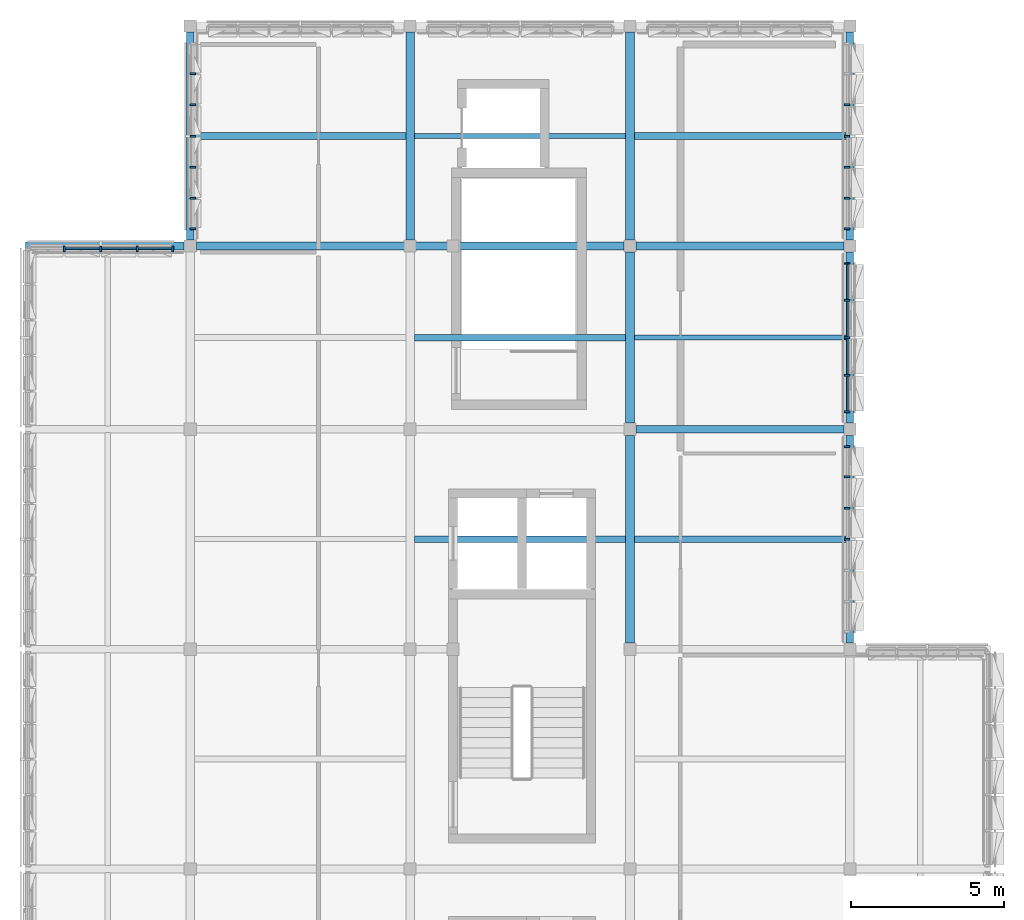
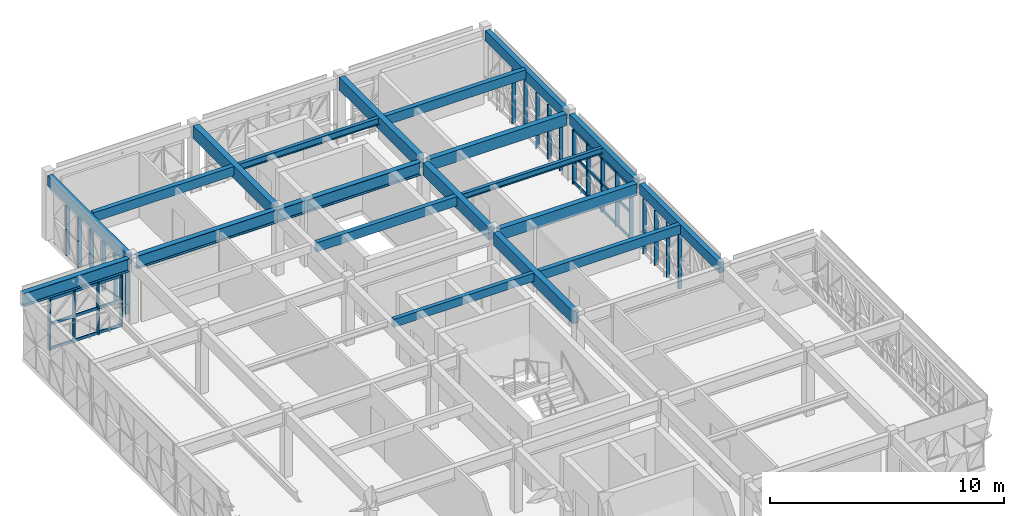
# One storey, part 6 of 25: 45 members, 19 beams, 5 elements without a shape of their own.
"""IFC4 building model written with IfcOpenShell, lengths in metres."""

import ifcopenshell
import ifcopenshell.guid

model = None  # the IFC model being written
_history = None  # IfcOwnerHistory: only IFC2X3 demands one
_inside = {}  # id of a spatial element -> (the spatial element, [elements in it])
_under = {}  # id of a project, library or spatial element -> (it, [spatial elements below it])
_declared = {}  # id of a project -> (the project, [libraries it declares])
_typed = {}  # id of a type object -> (the type object, [elements of that type])
_made_of = {}  # id of a material, layer set ... -> (it, [elements and type objects made of it])


def new_model(schema):
    """Start an empty IFC model of exactly this schema.

    Asked for "IFC4X3", IfcOpenShell would pick the latest addendum, in which some entities
    have other attributes; the version numbers below select the first issue.
    IFC2X3 requires an IfcOwnerHistory on every rooted entity: one is made here for all.
    """
    global model, _history
    if schema == "IFC4X3":
        model = ifcopenshell.file(schema_version=(4, 3, 0, 0))
    else:
        model = ifcopenshell.file(schema=schema)
    _inside.clear()
    _under.clear()
    _declared.clear()
    _typed.clear()
    _made_of.clear()
    _history = None
    if model.schema == "IFC2X3":
        org = make("IfcOrganization", Name="unknown")
        user = make(
            "IfcPersonAndOrganization",
            ThePerson=make("IfcPerson", FamilyName="unknown"),
            TheOrganization=org,
        )
        app = make(
            "IfcApplication",
            ApplicationDeveloper=org,
            Version="unknown",
            ApplicationFullName="unknown",
            ApplicationIdentifier="unknown",
        )
        _history = make(
            "IfcOwnerHistory",
            OwningUser=user,
            OwningApplication=app,
            ChangeAction="ADDED",
            CreationDate=0,
        )
    return model


def make(cls, **values):
    """One entity of the class cls with the attributes given. An attribute that is None is left unset."""
    return model.create_entity(
        cls, **{name: value for name, value in values.items() if value is not None}
    )


def rooted(cls, **values):
    """An entity with a GlobalId (a new one), such as an element, a storey or a relation."""
    return make(cls, GlobalId=ifcopenshell.guid.new(), OwnerHistory=_history, **values)


def si_unit(unit_type, name, prefix=None):
    """IfcSIUnit, for example si_unit("LENGTHUNIT", "METRE", prefix="MILLI")."""
    return make("IfcSIUnit", UnitType=unit_type, Prefix=prefix, Name=name)


def assignment(units):
    """IfcUnitAssignment: the units of a project."""
    return None if units is None else make("IfcUnitAssignment", Units=units)


def point(xyz):
    """IfcCartesianPoint."""
    return None if xyz is None else make("IfcCartesianPoint", Coordinates=xyz)


def direction(xyz):
    """IfcDirection."""
    return None if xyz is None else make("IfcDirection", DirectionRatios=xyz)


def frame(location, z_axis=None, x_axis=None):
    """IfcAxis2Placement3D, a coordinate frame: its origin and axes. An axis left out is left unset."""
    return make(
        "IfcAxis2Placement3D",
        Location=point(location),
        Axis=direction(z_axis),
        RefDirection=direction(x_axis),
    )


def frame_2d(location, x_axis=None):
    """IfcAxis2Placement2D, a coordinate frame in the plane: its origin and x axis."""
    return make(
        "IfcAxis2Placement2D", Location=point(location), RefDirection=direction(x_axis)
    )


def origin():
    """The frame at (0, 0, 0) with its axes left unset."""
    return frame((0.0, 0.0, 0.0))


def origin_2d():
    """The frame at (0, 0) in the plane with its x axis left unset."""
    return frame_2d((0.0, 0.0))


def place(relative_to, where):
    """IfcLocalPlacement: puts the frame where relative to a parent placement (None: the world)."""
    return make(
        "IfcLocalPlacement", PlacementRelTo=relative_to, RelativePlacement=where
    )


def context(
    kind, dimensions, precision=None, world=None, true_north=None, identifier=None
):
    """IfcGeometricRepresentationContext, for example the 3D "Model" context."""
    return make(
        "IfcGeometricRepresentationContext",
        ContextIdentifier=identifier,
        ContextType=kind,
        CoordinateSpaceDimension=dimensions,
        Precision=precision,
        WorldCoordinateSystem=world,
        TrueNorth=true_north,
    )


def subcontext(parent, identifier, kind, view, scale=None):
    """IfcGeometricRepresentationSubContext, for example "Body" below "Model"."""
    return make(
        "IfcGeometricRepresentationSubContext",
        ContextIdentifier=identifier,
        ContextType=kind,
        ParentContext=parent,
        TargetScale=scale,
        TargetView=view,
    )


def project(units=None, contexts=None):
    """IfcProject with its units and contexts."""
    return rooted(
        "IfcProject",
        Name="project",
        RepresentationContexts=contexts,
        UnitsInContext=assignment(units),
    )


def spatial(cls, under=None, at=None, **own):
    """A site, building, storey or space (cls), placed at a placement, below another one or the project."""
    s = rooted(cls, ObjectPlacement=at, **own)
    if under is not None:
        _under.setdefault(under.id(), (under, []))[1].append(s)
    return s


def profile(cls, at=None, kind="AREA", **sizes):
    """A parametric profile (cls). Its sizes go by their IFC names, for example OverallWidth=200.0."""
    return make(cls, ProfileType=kind, Position=at, **sizes)


def rectangle(**sizes):
    """IfcRectangleProfileDef."""
    return profile("IfcRectangleProfileDef", **sizes)


def i_section(**sizes):
    """IfcIShapeProfileDef."""
    return profile("IfcIShapeProfileDef", **sizes)


def extrude(swept, where, along, depth):
    """IfcExtrudedAreaSolid: the profile swept, set in the frame where, extruded along a direction by depth."""
    return make(
        "IfcExtrudedAreaSolid",
        SweptArea=swept,
        Position=where,
        ExtrudedDirection=direction(along),
        Depth=depth,
    )


def shape(context_of_items, identifier, shape_type, items):
    """IfcShapeRepresentation: the items that make up one representation, for example the "Body"."""
    return make(
        "IfcShapeRepresentation",
        ContextOfItems=context_of_items,
        RepresentationIdentifier=identifier,
        RepresentationType=shape_type,
        Items=items,
    )


def material(Name=None, Category=None):
    """IfcMaterial."""
    return make("IfcMaterial", Name=Name, Category=Category)


def material_profile(
    of_material, cross_section, Name=None, Category=None, Priority=None
):
    """IfcMaterialProfile: a cross section and its material."""
    return make(
        "IfcMaterialProfile",
        Name=Name,
        Material=of_material,
        Profile=cross_section,
        Priority=Priority,
        Category=Category,
    )


def profile_set(profiles, Name=None, composite=None):
    """IfcMaterialProfileSet."""
    return make(
        "IfcMaterialProfileSet",
        Name=Name,
        MaterialProfiles=profiles,
        CompositeProfile=composite,
    )


def made_of(thing, what):
    """Note that an element or type object is made of a material, layer set ...; save() writes the relation."""
    if what is not None:
        _made_of.setdefault(what.id(), (what, []))[1].append(thing)
    return thing


def type_object(cls, material=None, **own):
    """A type object (cls), such as IfcWallType, which elements share."""
    return made_of(rooted(cls, **own), material)


def element(
    cls,
    number,
    at=None,
    inside=None,
    cuts=None,
    type_object=None,
    material=None,
    context=None,
    identifier="Body",
    shape_type=None,
    held_by="IfcProductDefinitionShape",
    body=None,
    shapes=None,
    **own,
):
    """One element of the class cls, such as IfcWall. Its Tag is "e" and its number.

    at: its placement. inside: the storey or other place that contains it. cuts: it is an
    opening in that element (IfcRelVoidsElement). A single representation is given by context,
    identifier, shape_type and body (its items); several are given by shapes. held_by: the class
    of the entity that holds the representations. save() writes the other relations.
    """
    e = rooted(cls, Tag="e%d" % number, ObjectPlacement=at, **own)
    if body is not None:
        shapes = [shape(context, identifier, shape_type, body)]
    if shapes is not None:
        e.Representation = make(held_by, Representations=shapes)
    if inside is not None:
        _inside.setdefault(inside.id(), (inside, []))[1].append(e)
    if cuts is not None:
        rooted(
            "IfcRelVoidsElement", RelatingBuildingElement=cuts, RelatedOpeningElement=e
        )
    if type_object is not None:
        _typed.setdefault(type_object.id(), (type_object, []))[1].append(e)
    return made_of(e, material)


def aggregate(whole, parts):
    """IfcRelAggregates: a whole, such as a stair, and the parts it consists of."""
    return rooted("IfcRelAggregates", RelatingObject=whole, RelatedObjects=parts)


def save(model, path):
    """Write the relations noted so far, then the file.

    IfcRelAggregates (storeys below a building ...), IfcRelContainedInSpatialStructure (elements
    in a storey), IfcRelDefinesByType, IfcRelAssociatesMaterial and IfcRelDeclares: one each for
    every whole, place, type object, material and project.
    """
    for whole, parts in _under.values():
        aggregate(whole, parts)
    for where, things in _inside.values():
        rooted(
            "IfcRelContainedInSpatialStructure",
            RelatedElements=things,
            RelatingStructure=where,
        )
    for kind, things in _typed.values():
        rooted("IfcRelDefinesByType", RelatedObjects=things, RelatingType=kind)
    for what, things in _made_of.values():
        rooted("IfcRelAssociatesMaterial", RelatedObjects=things, RelatingMaterial=what)
    for by, libraries in _declared.values():
        rooted("IfcRelDeclares", RelatingContext=by, RelatedDefinitions=libraries)
    model.write(path)


model = new_model("IFC4")

# Units and contexts
model_context = context("Model", 3, precision=1e-05, world=origin(), true_north=direction((0.0, 1.0)))
body_context = subcontext(model_context, "Body", "Model", "MODEL_VIEW")
ifc_project = project(units=[si_unit("LENGTHUNIT", "METRE"), si_unit("AREAUNIT", "SQUARE_METRE"), si_unit("VOLUMEUNIT", "CUBIC_METRE"), si_unit("PLANEANGLEUNIT", "RADIAN"), si_unit("MASSUNIT", "GRAM", prefix="KILO")], contexts=[model_context])

# Site, building, storey
site_placement = place(None, origin())
site = spatial("IfcSite", under=ifc_project, at=site_placement, CompositionType="ELEMENT")
building_placement = place(site_placement, origin())
building = spatial("IfcBuilding", under=site, at=building_placement, Name="Alvorim Cloister Faculty of Sciences", CompositionType="ELEMENT")
storey_placement = place(building_placement, frame((0.0, 0.0, 29.699951171875)))
storey = spatial("IfcBuildingStorey", under=building, at=storey_placement, Name="L08", CompositionType="ELEMENT", Elevation=29.699951171875)

# Beams
ifc_material_1 = material(Name="Glulam GL28h", Category="wood")
ifc_material_profile_1 = material_profile(ifc_material_1, rectangle(XDim=0.260009765625, YDim=0.60009765625, at=origin_2d()), Name="GL28-BM-260x600")
ifc_profile_set_1 = profile_set([ifc_material_profile_1], Name="Glulam GL28h")
beam_type_1 = type_object("IfcBeamType", Name="BM-GL-260x600", PredefinedType="BEAM", material=ifc_profile_set_1)
for number, where, z_axis, x_axis, name in (
    (1, (21.800048828125, 43.199951171875, 3.10009765625), (1.0, 0.0, 0.0), (0.0, 1.0, 0.0), "L08 Primary Beam BM-2175"),
    (2, (21.800048828125, 49.199951171875, 3.10009765625), (1.0, 0.0, 0.0), (0.0, 1.0, 0.0), "L08 Primary Beam BM-2176"),
):
    element("IfcBeam", number, at=place(storey_placement, frame(where, z_axis=z_axis, x_axis=x_axis)), inside=storey, type_object=beam_type_1, Name=name, PredefinedType="BEAM", context=body_context, shape_type="SweptSolid", body=[
        extrude(rectangle(XDim=0.260009765625, YDim=0.60009765625, at=origin_2d()), origin(), (0.0, 0.0, 1.0), 6.800048828125),
    ])
ifc_material_profile_2 = material_profile(ifc_material_1, rectangle(XDim=0.280029296875, YDim=0.659912109375, at=origin_2d()), Name="GL28-BM-280x660")
ifc_profile_set_2 = profile_set([ifc_material_profile_2], Name="Glulam GL28h")
beam_type_2 = type_object("IfcBeamType", Name="BM-GL-280x660", PredefinedType="BEAM", material=ifc_profile_set_2)
for number, where, z_axis, x_axis, name in (
    (3, (14.39990234375, 49.39990234375, 3.16015625), (0.0, 1.0, 0.0), (-1.0, 0.0, 0.0), "L08 Primary Girder BM-2193"),
    (4, (21.60009765625, 36.199951171875, 3.06005859375), (0.0, 1.0, 0.0), (-1.0, 0.0, 0.0), "L08 Primary Girder BM-2198"),
):
    element("IfcBeam", number, at=place(storey_placement, frame(where, z_axis=z_axis, x_axis=x_axis)), inside=storey, type_object=beam_type_2, Name=name, PredefinedType="BEAM", context=body_context, shape_type="SweptSolid", body=[
        extrude(rectangle(XDim=0.280029296875, YDim=0.659912109375, at=origin_2d()), origin(), (0.0, 0.0, 1.0), 6.800048828125),
    ])
beam_1_placement = place(storey_placement, frame((21.60009765625, 43.39990234375, 3.070068359375), z_axis=(0.0, 1.0, 0.0), x_axis=(-1.0, 0.0, 0.0)))
element("IfcBeam", 5, at=beam_1_placement, inside=storey, type_object=beam_type_2, Name="L08 Primary Girder BM-2199", PredefinedType="BEAM", context=body_context, shape_type="SweptSolid", body=[
    extrude(rectangle(XDim=0.280029296875, YDim=0.659912109375, at=origin_2d()), origin(), (0.0, 0.0, 1.0), 5.60009765625),
])
beam_2_placement = place(storey_placement, frame((21.60009765625, 49.39990234375, 3.16015625), z_axis=(0.0, 1.0, 0.0), x_axis=(-1.0, 0.0, 0.0)))
element("IfcBeam", 6, at=beam_2_placement, inside=storey, type_object=beam_type_2, Name="L08 Primary Girder BM-2200", PredefinedType="BEAM", context=body_context, shape_type="SweptSolid", body=[
    extrude(rectangle(XDim=0.280029296875, YDim=0.659912109375, at=origin_2d()), origin(), (0.0, 0.0, 1.0), 6.800048828125),
])
ifc_material_profile_3 = material_profile(ifc_material_1, rectangle(XDim=0.199951171875, YDim=0.419921875, at=origin_2d()), Name="GL28-JST-200x420")
ifc_profile_set_3 = profile_set([ifc_material_profile_3], Name="Glulam GL28h")
beam_type_3 = type_object("IfcBeamType", Name="BM-JST-GL-200x420", PredefinedType="JOIST", material=ifc_profile_set_3)
beam_3_placement = place(storey_placement, frame((14.5400390625, 39.60009765625, 3.18994140625), z_axis=(1.0, 0.0, 0.0), x_axis=(0.0, 1.0, 0.0)))
element("IfcBeam", 7, at=beam_3_placement, inside=storey, type_object=beam_type_3, Name="L08 Secondary Floor Joist BM-2216", PredefinedType="JOIST", context=body_context, shape_type="SweptSolid", body=[
    extrude(rectangle(XDim=0.199951171875, YDim=0.419921875, at=origin_2d()), origin(), (0.0, 0.0, 1.0), 6.919921875),
])
ifc_material_profile_4 = material_profile(ifc_material_1, rectangle(XDim=0.219970703125, YDim=0.47998046875, at=origin_2d()), Name="GL28-JST-220x480")
ifc_profile_set_4 = profile_set([ifc_material_profile_4], Name="Glulam GL28h")
beam_type_4 = type_object("IfcBeamType", Name="BM-JST-GL-220x480", PredefinedType="JOIST", material=ifc_profile_set_4)
beam_4_placement = place(storey_placement, frame((7.320068359375, 52.800048828125, 3.25), z_axis=(1.0, 0.0, 0.0), x_axis=(0.0, 1.0, 0.0)))
element("IfcBeam", 8, at=beam_4_placement, inside=storey, type_object=beam_type_4, Name="L08 Secondary Floor Joist BM-2214", PredefinedType="JOIST", context=body_context, shape_type="SweptSolid", body=[
    extrude(rectangle(XDim=0.219970703125, YDim=0.47998046875, at=origin_2d()), origin(), (0.0, 0.0, 1.0), 6.93994140625),
])
beam_5_placement = place(storey_placement, frame((14.5400390625, 46.199951171875, 3.16015625), z_axis=(1.0, 0.0, 0.0), x_axis=(0.0, 1.0, 0.0)))
element("IfcBeam", 9, at=beam_5_placement, inside=storey, type_object=beam_type_4, Name="L08 Secondary Floor Joist BM-2217", PredefinedType="JOIST", context=body_context, shape_type="SweptSolid", body=[
    extrude(rectangle(XDim=0.219970703125, YDim=0.47998046875, at=origin_2d()), origin(), (0.0, 0.0, 1.0), 6.919921875),
])
for number, where, z_axis, x_axis, name in (
    (10, (21.739990234375, 39.60009765625, 3.16015625), (1.0, 0.0, 0.0), (0.0, 1.0, 0.0), "L08 Secondary Floor Joist BM-2223"),
    (11, (21.739990234375, 52.800048828125, 3.25), (1.0, 0.0, 0.0), (0.0, 1.0, 0.0), "L08 Secondary Floor Joist BM-2225"),
):
    element("IfcBeam", number, at=place(storey_placement, frame(where, z_axis=z_axis, x_axis=x_axis)), inside=storey, type_object=beam_type_4, Name=name, PredefinedType="JOIST", context=body_context, shape_type="SweptSolid", body=[
        extrude(rectangle(XDim=0.219970703125, YDim=0.47998046875, at=origin_2d()), origin(), (0.0, 0.0, 1.0), 6.93994140625),
    ])
ifc_material_profile_5 = material_profile(ifc_material_1, rectangle(XDim=0.239990234375, YDim=0.5400390625, at=origin_2d()), Name="GL28-SPD-240x540")
ifc_profile_set_5 = profile_set([ifc_material_profile_5], Name="Glulam GL28h")
beam_type_5 = type_object("IfcBeamType", Name="BM-SPD-GL-240x540", PredefinedType="SPANDREL", material=ifc_profile_set_5)
for number, where, z_axis, x_axis, name in (
    (12, (7.199951171875, 49.39990234375, 3.130126953125), (0.0, 1.0, 0.0), (-1.0, 0.0, 0.0), "L08 Primary Girder BM-2186"),
    (13, (28.800048828125, 36.199951171875, 3.130126953125), (0.0, 1.0, 0.0), (-1.0, 0.0, 0.0), "L08 Primary Girder BM-2205"),
):
    element("IfcBeam", number, at=place(storey_placement, frame(where, z_axis=z_axis, x_axis=x_axis)), inside=storey, type_object=beam_type_5, Name=name, PredefinedType="SPANDREL", context=body_context, shape_type="SweptSolid", body=[
        extrude(rectangle(XDim=0.239990234375, YDim=0.5400390625, at=origin_2d()), origin(), (0.0, 0.0, 1.0), 6.800048828125),
    ])
beam_6_placement = place(storey_placement, frame((28.800048828125, 43.39990234375, 3.130126953125), z_axis=(0.0, 1.0, 0.0), x_axis=(-1.0, 0.0, 0.0)))
element("IfcBeam", 14, at=beam_6_placement, inside=storey, type_object=beam_type_5, Name="L08 Primary Girder BM-2206", PredefinedType="SPANDREL", context=body_context, shape_type="SweptSolid", body=[
    extrude(rectangle(XDim=0.239990234375, YDim=0.5400390625, at=origin_2d()), origin(), (0.0, 0.0, 1.0), 5.60009765625),
])
beam_7_placement = place(storey_placement, frame((28.800048828125, 49.39990234375, 3.130126953125), z_axis=(0.0, 1.0, 0.0), x_axis=(-1.0, 0.0, 0.0)))
element("IfcBeam", 15, at=beam_7_placement, inside=storey, type_object=beam_type_5, Name="L08 Primary Girder BM-2207", PredefinedType="SPANDREL", context=body_context, shape_type="SweptSolid", body=[
    extrude(rectangle(XDim=0.239990234375, YDim=0.5400390625, at=origin_2d()), origin(), (0.0, 0.0, 1.0), 6.800048828125),
])
ifc_material_2 = material(Name="Steel ASTM A572 Grade 50", Category="steel")
ifc_material_profile_6 = material_profile(ifc_material_2, i_section(OverallWidth=0.1650390625, OverallDepth=0.31005859375, WebThickness=0.005859375, FlangeThickness=0.009765625, FilletRadius=0.010986328125, at=origin_2d()), Name="W310x38.7")
ifc_profile_set_6 = profile_set([ifc_material_profile_6], Name="Steel ASTM A572 Grade 50")
beam_type_6 = type_object("IfcBeamType", Name="BM-STL-W310", PredefinedType="JOIST", material=ifc_profile_set_6)
beam_8_placement = place(storey_placement, frame((21.739990234375, 46.199951171875, 3.2451171875), z_axis=(1.0, 0.0, 0.0), x_axis=(0.0, 1.0, 0.0)))
element("IfcBeam", 16, at=beam_8_placement, inside=storey, type_object=beam_type_6, Name="L08 Secondary Floor Joist BM-2224", PredefinedType="JOIST", context=body_context, shape_type="SweptSolid", body=[
    extrude(i_section(OverallWidth=0.1650390625, OverallDepth=0.31005859375, WebThickness=0.005859375, FlangeThickness=0.009765625, FilletRadius=0.010986328125, at=origin_2d()), origin(), (0.0, 0.0, 1.0), 6.93994140625),
])
ifc_material_profile_7 = material_profile(ifc_material_2, i_section(OverallWidth=0.1708984375, OverallDepth=0.35498046875, WebThickness=0.007080078125, FlangeThickness=0.01171875, FilletRadius=0.012939453125, at=origin_2d()), Name="W360x51.0")
ifc_profile_set_7 = profile_set([ifc_material_profile_7], Name="Steel ASTM A572 Grade 50")
beam_type_7 = type_object("IfcBeamType", Name="BM-STL-W360", PredefinedType="JOIST", material=ifc_profile_set_7)
beam_9_placement = place(storey_placement, frame((14.5400390625, 52.800048828125, 3.3125), z_axis=(1.0, 0.0, 0.0), x_axis=(0.0, 1.0, 0.0)))
element("IfcBeam", 17, at=beam_9_placement, inside=storey, type_object=beam_type_7, Name="L08 Secondary Floor Joist BM-2218", PredefinedType="JOIST", context=body_context, shape_type="SweptSolid", body=[
    extrude(i_section(OverallWidth=0.1708984375, OverallDepth=0.35498046875, WebThickness=0.007080078125, FlangeThickness=0.01171875, FilletRadius=0.012939453125, at=origin_2d()), origin(), (0.0, 0.0, 1.0), 6.919921875),
])
ifc_material_profile_8 = material_profile(ifc_material_2, i_section(OverallWidth=0.25390625, OverallDepth=0.68408203125, WebThickness=0.012451171875, FlangeThickness=0.01904296875, FilletRadius=0.01904296875, at=origin_2d()), Name="W690x140.0")
ifc_profile_set_8 = profile_set([ifc_material_profile_8], Name="Steel ASTM A572 Grade 50")
beam_type_8 = type_object("IfcBeamType", Name="BM-STL-W690", PredefinedType="BEAM", material=ifc_profile_set_8)
beam_10_placement = place(storey_placement, frame((7.39990234375, 49.199951171875, 3.05810546875), z_axis=(1.0, 0.0, 0.0), x_axis=(0.0, 1.0, 0.0)))
element("IfcBeam", 18, at=beam_10_placement, inside=storey, type_object=beam_type_8, Name="L08 Cantilever Backspan Girder BM-0195", PredefinedType="BEAM", context=body_context, shape_type="SweptSolid", body=[
    extrude(i_section(OverallWidth=0.25390625, OverallDepth=0.68408203125, WebThickness=0.012451171875, FlangeThickness=0.01904296875, FilletRadius=0.01904296875, at=origin_2d()), origin(), (0.0, 0.0, 1.0), 14.0),
])
beam_11_placement = place(storey_placement, frame((1.800048828125, 49.199951171875, 3.05810546875), z_axis=(1.0, 0.0, 0.0), x_axis=(0.0, 1.0, 0.0)))
element("IfcBeam", 19, at=beam_11_placement, inside=storey, type_object=beam_type_8, Name="L08 Cantilever Overhang Girder BM-0196", PredefinedType="BEAM", context=body_context, shape_type="SweptSolid", body=[
    extrude(i_section(OverallWidth=0.25390625, OverallDepth=0.68408203125, WebThickness=0.012451171875, FlangeThickness=0.01904296875, FilletRadius=0.01904296875, at=origin_2d()), origin(), (0.0, 0.0, 1.0), 5.199951171875),
])

# Curtain wall, members
ifc_material_3 = material(Name="Aluminium and Low-E Glass Curtain Wall", Category="aluminium")
curtain_wall_type_1 = type_object("IfcCurtainWallType", Name="CW-TRI-4780x2716", PredefinedType="USERDEFINED", material=ifc_material_3)
curtain_wall_1_placement = place(storey_placement, origin())
curtain_wall_1 = element("IfcCurtainWall", 20, at=curtain_wall_1_placement, inside=storey, type_object=curtain_wall_type_1, Name="L08 Diagonal Cassette Curtain Wall CW-0285", ObjectType="UNITISED CURTAIN WALL", PredefinedType="USERDEFINED")
ifc_material_4 = material(Name="Aluminium Alloy 6063-T6", Category="aluminium")
ifc_material_profile_9 = material_profile(ifc_material_4, rectangle(XDim=0.06494140625, YDim=0.179931640625, at=origin_2d()), Name="ALU-MUL-65x180")
ifc_profile_set_9 = profile_set([ifc_material_profile_9], Name="Aluminium Alloy 6063-T6")
member_type_1 = type_object("IfcMemberType", Name="CW-MUL-65x180", PredefinedType="MULLION", material=ifc_profile_set_9)
member_1_placement = place(storey_placement, frame((3.074951171875, 49.110107421875, 0.0), z_axis=(0.0, 0.0, 1.0), x_axis=(1.0, 0.0, 0.0)))
member_1 = element("IfcMember", 21, at=member_1_placement, type_object=member_type_1, Name="CW-0285 Mullion 2", PredefinedType="MULLION", context=body_context, shape_type="SweptSolid", body=[
    extrude(rectangle(XDim=0.06494140625, YDim=0.179931640625, at=origin_2d()), origin(), (0.0, 0.0, 1.0), 2.716064453125),
])
member_2_placement = place(storey_placement, frame((4.27001953125, 49.110107421875, 0.0), z_axis=(0.0, 0.0, 1.0), x_axis=(1.0, 0.0, 0.0)))
member_2 = element("IfcMember", 22, at=member_2_placement, type_object=member_type_1, Name="CW-0285 Mullion 3", PredefinedType="MULLION", context=body_context, shape_type="SweptSolid", body=[
    extrude(rectangle(XDim=0.06494140625, YDim=0.179931640625, at=origin_2d()), origin(), (0.0, 0.0, 1.0), 2.716064453125),
])
member_3_placement = place(storey_placement, frame((5.465087890625, 49.110107421875, 0.0), z_axis=(0.0, 0.0, 1.0), x_axis=(1.0, 0.0, 0.0)))
member_3 = element("IfcMember", 23, at=member_3_placement, type_object=member_type_1, Name="CW-0285 Mullion 4", PredefinedType="MULLION", context=body_context, shape_type="SweptSolid", body=[
    extrude(rectangle(XDim=0.06494140625, YDim=0.179931640625, at=origin_2d()), origin(), (0.0, 0.0, 1.0), 2.716064453125),
])
member_4_placement = place(storey_placement, frame((6.62744140625, 49.110107421875, 0.0), z_axis=(0.0, 0.0, 1.0), x_axis=(1.0, 0.0, 0.0)))
member_4 = element("IfcMember", 24, at=member_4_placement, type_object=member_type_1, Name="CW-0285 Mullion 5", PredefinedType="MULLION", context=body_context, shape_type="SweptSolid", body=[
    extrude(rectangle(XDim=0.06494140625, YDim=0.179931640625, at=origin_2d()), origin(), (0.0, 0.0, 1.0), 2.716064453125),
])

curtain_wall_type_2 = type_object("IfcCurtainWallType", Name="CW-TRI-6120x2860", PredefinedType="USERDEFINED", material=ifc_material_3)
curtain_wall_2_placement = place(storey_placement, origin())
curtain_wall_2 = element("IfcCurtainWall", 25, at=curtain_wall_2_placement, inside=storey, type_object=curtain_wall_type_2, Name="L08 Diagonal Cassette Curtain Wall CW-0286", ObjectType="UNITISED CURTAIN WALL", PredefinedType="USERDEFINED")
member_5_placement = place(storey_placement, frame((7.2900390625, 49.7724609375, 0.0), z_axis=(0.0, 0.0, 1.0), x_axis=(0.0, 1.0, 0.0)))
member_5 = element("IfcMember", 26, at=member_5_placement, type_object=member_type_1, Name="CW-0286 Mullion 1", PredefinedType="MULLION", context=body_context, shape_type="SweptSolid", body=[
    extrude(rectangle(XDim=0.06494140625, YDim=0.179931640625, at=origin_2d()), origin(), (0.0, 0.0, 1.0), 2.860107421875),
])
member_6_placement = place(storey_placement, frame((7.2900390625, 50.760009765625, 0.0), z_axis=(0.0, 0.0, 1.0), x_axis=(0.0, 1.0, 0.0)))
member_6 = element("IfcMember", 27, at=member_6_placement, type_object=member_type_1, Name="CW-0286 Mullion 2", PredefinedType="MULLION", context=body_context, shape_type="SweptSolid", body=[
    extrude(rectangle(XDim=0.06494140625, YDim=0.179931640625, at=origin_2d()), origin(), (0.0, 0.0, 1.0), 2.860107421875),
])
member_7_placement = place(storey_placement, frame((7.2900390625, 51.780029296875, 0.0), z_axis=(0.0, 0.0, 1.0), x_axis=(0.0, 1.0, 0.0)))
member_7 = element("IfcMember", 28, at=member_7_placement, type_object=member_type_1, Name="CW-0286 Mullion 3", PredefinedType="MULLION", context=body_context, shape_type="SweptSolid", body=[
    extrude(rectangle(XDim=0.06494140625, YDim=0.179931640625, at=origin_2d()), origin(), (0.0, 0.0, 1.0), 2.860107421875),
])
member_8_placement = place(storey_placement, frame((7.2900390625, 52.800048828125, 0.0), z_axis=(0.0, 0.0, 1.0), x_axis=(0.0, 1.0, 0.0)))
member_8 = element("IfcMember", 29, at=member_8_placement, type_object=member_type_1, Name="CW-0286 Mullion 4", PredefinedType="MULLION", context=body_context, shape_type="SweptSolid", body=[
    extrude(rectangle(XDim=0.06494140625, YDim=0.179931640625, at=origin_2d()), origin(), (0.0, 0.0, 1.0), 2.860107421875),
])
member_9_placement = place(storey_placement, frame((7.2900390625, 53.820068359375, 0.0), z_axis=(0.0, 0.0, 1.0), x_axis=(0.0, 1.0, 0.0)))
member_9 = element("IfcMember", 30, at=member_9_placement, type_object=member_type_1, Name="CW-0286 Mullion 5", PredefinedType="MULLION", context=body_context, shape_type="SweptSolid", body=[
    extrude(rectangle(XDim=0.06494140625, YDim=0.179931640625, at=origin_2d()), origin(), (0.0, 0.0, 1.0), 2.860107421875),
])
member_10_placement = place(storey_placement, frame((7.2900390625, 54.840087890625, 0.0), z_axis=(0.0, 0.0, 1.0), x_axis=(0.0, 1.0, 0.0)))
member_10 = element("IfcMember", 31, at=member_10_placement, type_object=member_type_1, Name="CW-0286 Mullion 6", PredefinedType="MULLION", context=body_context, shape_type="SweptSolid", body=[
    extrude(rectangle(XDim=0.06494140625, YDim=0.179931640625, at=origin_2d()), origin(), (0.0, 0.0, 1.0), 2.860107421875),
])
aggregate(curtain_wall_2, [member_5, member_6, member_7, member_8, member_9, member_10])

curtain_wall_3_placement = place(storey_placement, origin())
curtain_wall_3 = element("IfcCurtainWall", 32, at=curtain_wall_3_placement, inside=storey, type_object=curtain_wall_type_2, Name="L08 Diagonal Cassette Curtain Wall CW-0290", ObjectType="UNITISED CURTAIN WALL", PredefinedType="USERDEFINED")
member_11_placement = place(storey_placement, frame((28.7099609375, 49.7724609375, 0.0), z_axis=(0.0, 0.0, 1.0), x_axis=(0.0, 1.0, 0.0)))
member_11 = element("IfcMember", 33, at=member_11_placement, type_object=member_type_1, Name="CW-0290 Mullion 1", PredefinedType="MULLION", context=body_context, shape_type="SweptSolid", body=[
    extrude(rectangle(XDim=0.06494140625, YDim=0.179931640625, at=origin_2d()), origin(), (0.0, 0.0, 1.0), 2.860107421875),
])
member_12_placement = place(storey_placement, frame((28.7099609375, 50.760009765625, 0.0), z_axis=(0.0, 0.0, 1.0), x_axis=(0.0, 1.0, 0.0)))
member_12 = element("IfcMember", 34, at=member_12_placement, type_object=member_type_1, Name="CW-0290 Mullion 2", PredefinedType="MULLION", context=body_context, shape_type="SweptSolid", body=[
    extrude(rectangle(XDim=0.06494140625, YDim=0.179931640625, at=origin_2d()), origin(), (0.0, 0.0, 1.0), 2.860107421875),
])
member_13_placement = place(storey_placement, frame((28.7099609375, 51.780029296875, 0.0), z_axis=(0.0, 0.0, 1.0), x_axis=(0.0, 1.0, 0.0)))
member_13 = element("IfcMember", 35, at=member_13_placement, type_object=member_type_1, Name="CW-0290 Mullion 3", PredefinedType="MULLION", context=body_context, shape_type="SweptSolid", body=[
    extrude(rectangle(XDim=0.06494140625, YDim=0.179931640625, at=origin_2d()), origin(), (0.0, 0.0, 1.0), 2.860107421875),
])
member_14_placement = place(storey_placement, frame((28.7099609375, 52.800048828125, 0.0), z_axis=(0.0, 0.0, 1.0), x_axis=(0.0, 1.0, 0.0)))
member_14 = element("IfcMember", 36, at=member_14_placement, type_object=member_type_1, Name="CW-0290 Mullion 4", PredefinedType="MULLION", context=body_context, shape_type="SweptSolid", body=[
    extrude(rectangle(XDim=0.06494140625, YDim=0.179931640625, at=origin_2d()), origin(), (0.0, 0.0, 1.0), 2.860107421875),
])
member_15_placement = place(storey_placement, frame((28.7099609375, 53.820068359375, 0.0), z_axis=(0.0, 0.0, 1.0), x_axis=(0.0, 1.0, 0.0)))
member_15 = element("IfcMember", 37, at=member_15_placement, type_object=member_type_1, Name="CW-0290 Mullion 5", PredefinedType="MULLION", context=body_context, shape_type="SweptSolid", body=[
    extrude(rectangle(XDim=0.06494140625, YDim=0.179931640625, at=origin_2d()), origin(), (0.0, 0.0, 1.0), 2.860107421875),
])
aggregate(curtain_wall_3, [member_11, member_12, member_13, member_14, member_15])

curtain_wall_type_3 = type_object("IfcCurtainWallType", Name="CW-TRI-4920x2860", PredefinedType="USERDEFINED", material=ifc_material_3)
curtain_wall_4_placement = place(storey_placement, origin())
curtain_wall_4 = element("IfcCurtainWall", 38, at=curtain_wall_4_placement, inside=storey, type_object=curtain_wall_type_3, Name="L08 Diagonal Cassette Curtain Wall CW-0291", ObjectType="UNITISED CURTAIN WALL", PredefinedType="USERDEFINED")
member_16_placement = place(storey_placement, frame((28.7099609375, 43.7724609375, 0.0), z_axis=(0.0, 0.0, 1.0), x_axis=(0.0, 1.0, 0.0)))
member_16 = element("IfcMember", 39, at=member_16_placement, type_object=member_type_1, Name="CW-0291 Mullion 1", PredefinedType="MULLION", context=body_context, shape_type="SweptSolid", body=[
    extrude(rectangle(XDim=0.06494140625, YDim=0.179931640625, at=origin_2d()), origin(), (0.0, 0.0, 1.0), 2.860107421875),
])
member_17_placement = place(storey_placement, frame((28.7099609375, 44.969970703125, 0.0), z_axis=(0.0, 0.0, 1.0), x_axis=(0.0, 1.0, 0.0)))
member_17 = element("IfcMember", 40, at=member_17_placement, type_object=member_type_1, Name="CW-0291 Mullion 2", PredefinedType="MULLION", context=body_context, shape_type="SweptSolid", body=[
    extrude(rectangle(XDim=0.06494140625, YDim=0.179931640625, at=origin_2d()), origin(), (0.0, 0.0, 1.0), 2.860107421875),
])
member_18_placement = place(storey_placement, frame((28.7099609375, 46.199951171875, 0.0), z_axis=(0.0, 0.0, 1.0), x_axis=(0.0, 1.0, 0.0)))
member_18 = element("IfcMember", 41, at=member_18_placement, type_object=member_type_1, Name="CW-0291 Mullion 3", PredefinedType="MULLION", context=body_context, shape_type="SweptSolid", body=[
    extrude(rectangle(XDim=0.06494140625, YDim=0.179931640625, at=origin_2d()), origin(), (0.0, 0.0, 1.0), 2.860107421875),
])
member_19_placement = place(storey_placement, frame((28.7099609375, 47.429931640625, 0.0), z_axis=(0.0, 0.0, 1.0), x_axis=(0.0, 1.0, 0.0)))
member_19 = element("IfcMember", 42, at=member_19_placement, type_object=member_type_1, Name="CW-0291 Mullion 4", PredefinedType="MULLION", context=body_context, shape_type="SweptSolid", body=[
    extrude(rectangle(XDim=0.06494140625, YDim=0.179931640625, at=origin_2d()), origin(), (0.0, 0.0, 1.0), 2.860107421875),
])
member_20_placement = place(storey_placement, frame((28.7099609375, 48.62744140625, 0.0), z_axis=(0.0, 0.0, 1.0), x_axis=(0.0, 1.0, 0.0)))
member_20 = element("IfcMember", 43, at=member_20_placement, type_object=member_type_1, Name="CW-0291 Mullion 5", PredefinedType="MULLION", context=body_context, shape_type="SweptSolid", body=[
    extrude(rectangle(XDim=0.06494140625, YDim=0.179931640625, at=origin_2d()), origin(), (0.0, 0.0, 1.0), 2.860107421875),
])

curtain_wall_5_placement = place(storey_placement, origin())
curtain_wall_5 = element("IfcCurtainWall", 44, at=curtain_wall_5_placement, inside=storey, type_object=curtain_wall_type_2, Name="L08 Diagonal Cassette Curtain Wall CW-0292", ObjectType="UNITISED CURTAIN WALL", PredefinedType="USERDEFINED")
member_21_placement = place(storey_placement, frame((28.7099609375, 39.60009765625, 0.0), z_axis=(0.0, 0.0, 1.0), x_axis=(0.0, 1.0, 0.0)))
member_21 = element("IfcMember", 45, at=member_21_placement, type_object=member_type_1, Name="CW-0292 Mullion 4", PredefinedType="MULLION", context=body_context, shape_type="SweptSolid", body=[
    extrude(rectangle(XDim=0.06494140625, YDim=0.179931640625, at=origin_2d()), origin(), (0.0, 0.0, 1.0), 2.860107421875),
])
member_22_placement = place(storey_placement, frame((28.7099609375, 40.6201171875, 0.0), z_axis=(0.0, 0.0, 1.0), x_axis=(0.0, 1.0, 0.0)))
member_22 = element("IfcMember", 46, at=member_22_placement, type_object=member_type_1, Name="CW-0292 Mullion 5", PredefinedType="MULLION", context=body_context, shape_type="SweptSolid", body=[
    extrude(rectangle(XDim=0.06494140625, YDim=0.179931640625, at=origin_2d()), origin(), (0.0, 0.0, 1.0), 2.860107421875),
])
member_23_placement = place(storey_placement, frame((28.7099609375, 41.639892578125, 0.0), z_axis=(0.0, 0.0, 1.0), x_axis=(0.0, 1.0, 0.0)))
member_23 = element("IfcMember", 47, at=member_23_placement, type_object=member_type_1, Name="CW-0292 Mullion 6", PredefinedType="MULLION", context=body_context, shape_type="SweptSolid", body=[
    extrude(rectangle(XDim=0.06494140625, YDim=0.179931640625, at=origin_2d()), origin(), (0.0, 0.0, 1.0), 2.860107421875),
])
member_24_placement = place(storey_placement, frame((28.7099609375, 42.62744140625, 0.0), z_axis=(0.0, 0.0, 1.0), x_axis=(0.0, 1.0, 0.0)))
member_24 = element("IfcMember", 48, at=member_24_placement, type_object=member_type_1, Name="CW-0292 Mullion 7", PredefinedType="MULLION", context=body_context, shape_type="SweptSolid", body=[
    extrude(rectangle(XDim=0.06494140625, YDim=0.179931640625, at=origin_2d()), origin(), (0.0, 0.0, 1.0), 2.860107421875),
])
aggregate(curtain_wall_5, [member_21, member_22, member_23, member_24])

# Member
ifc_material_profile_10 = material_profile(ifc_material_4, rectangle(XDim=0.06494140625, YDim=0.139892578125, at=origin_2d()), Name="ALU-TRN-65x140")
ifc_profile_set_10 = profile_set([ifc_material_profile_10], Name="Aluminium Alloy 6063-T6")
member_type_2 = type_object("IfcMemberType", Name="CW-TRN-65x140", PredefinedType="USERDEFINED", material=ifc_profile_set_10)
member_25_placement = place(storey_placement, frame((3.107421875, 49.110107421875, 0.070068359375), z_axis=(1.0, 0.0, 0.0), x_axis=(0.0, 1.0, 0.0)))
member_25 = element("IfcMember", 49, at=member_25_placement, type_object=member_type_2, Name="CW-0285 Transom 2.1", ObjectType="TRANSOM", PredefinedType="USERDEFINED", context=body_context, shape_type="SweptSolid", body=[
    extrude(rectangle(XDim=0.06494140625, YDim=0.139892578125, at=origin_2d()), origin(), (0.0, 0.0, 1.0), 1.130126953125),
])

member_26_placement = place(storey_placement, frame((3.107421875, 49.110107421875, 1.358154296875), z_axis=(1.0, 0.0, 0.0), x_axis=(0.0, 1.0, 0.0)))
member_26 = element("IfcMember", 50, at=member_26_placement, type_object=member_type_2, Name="CW-0285 Transom 2.2", ObjectType="TRANSOM", PredefinedType="USERDEFINED", context=body_context, shape_type="SweptSolid", body=[
    extrude(rectangle(XDim=0.06494140625, YDim=0.139892578125, at=origin_2d()), origin(), (0.0, 0.0, 1.0), 1.130126953125),
])

member_27_placement = place(storey_placement, frame((3.107421875, 49.110107421875, 2.64599609375), z_axis=(1.0, 0.0, 0.0), x_axis=(0.0, 1.0, 0.0)))
member_27 = element("IfcMember", 51, at=member_27_placement, type_object=member_type_2, Name="CW-0285 Transom 2.3", ObjectType="TRANSOM", PredefinedType="USERDEFINED", context=body_context, shape_type="SweptSolid", body=[
    extrude(rectangle(XDim=0.06494140625, YDim=0.139892578125, at=origin_2d()), origin(), (0.0, 0.0, 1.0), 1.130126953125),
])

member_28_placement = place(storey_placement, frame((4.302490234375, 49.110107421875, 0.070068359375), z_axis=(1.0, 0.0, 0.0), x_axis=(0.0, 1.0, 0.0)))
member_28 = element("IfcMember", 52, at=member_28_placement, type_object=member_type_2, Name="CW-0285 Transom 3.1", ObjectType="TRANSOM", PredefinedType="USERDEFINED", context=body_context, shape_type="SweptSolid", body=[
    extrude(rectangle(XDim=0.06494140625, YDim=0.139892578125, at=origin_2d()), origin(), (0.0, 0.0, 1.0), 1.130126953125),
])

member_29_placement = place(storey_placement, frame((4.302490234375, 49.110107421875, 1.358154296875), z_axis=(1.0, 0.0, 0.0), x_axis=(0.0, 1.0, 0.0)))
member_29 = element("IfcMember", 53, at=member_29_placement, type_object=member_type_2, Name="CW-0285 Transom 3.2", ObjectType="TRANSOM", PredefinedType="USERDEFINED", context=body_context, shape_type="SweptSolid", body=[
    extrude(rectangle(XDim=0.06494140625, YDim=0.139892578125, at=origin_2d()), origin(), (0.0, 0.0, 1.0), 1.130126953125),
])

member_30_placement = place(storey_placement, frame((4.302490234375, 49.110107421875, 2.64599609375), z_axis=(1.0, 0.0, 0.0), x_axis=(0.0, 1.0, 0.0)))
member_30 = element("IfcMember", 54, at=member_30_placement, type_object=member_type_2, Name="CW-0285 Transom 3.3", ObjectType="TRANSOM", PredefinedType="USERDEFINED", context=body_context, shape_type="SweptSolid", body=[
    extrude(rectangle(XDim=0.06494140625, YDim=0.139892578125, at=origin_2d()), origin(), (0.0, 0.0, 1.0), 1.130126953125),
])

member_31_placement = place(storey_placement, frame((5.49755859375, 49.110107421875, 0.070068359375), z_axis=(1.0, 0.0, 0.0), x_axis=(0.0, 1.0, 0.0)))
member_31 = element("IfcMember", 55, at=member_31_placement, type_object=member_type_2, Name="CW-0285 Transom 4.1", ObjectType="TRANSOM", PredefinedType="USERDEFINED", context=body_context, shape_type="SweptSolid", body=[
    extrude(rectangle(XDim=0.06494140625, YDim=0.139892578125, at=origin_2d()), origin(), (0.0, 0.0, 1.0), 1.097412109375),
])

member_32_placement = place(storey_placement, frame((5.49755859375, 49.110107421875, 1.358154296875), z_axis=(1.0, 0.0, 0.0), x_axis=(0.0, 1.0, 0.0)))
member_32 = element("IfcMember", 56, at=member_32_placement, type_object=member_type_2, Name="CW-0285 Transom 4.2", ObjectType="TRANSOM", PredefinedType="USERDEFINED", context=body_context, shape_type="SweptSolid", body=[
    extrude(rectangle(XDim=0.06494140625, YDim=0.139892578125, at=origin_2d()), origin(), (0.0, 0.0, 1.0), 1.097412109375),
])

member_33_placement = place(storey_placement, frame((5.49755859375, 49.110107421875, 2.64599609375), z_axis=(1.0, 0.0, 0.0), x_axis=(0.0, 1.0, 0.0)))
member_33 = element("IfcMember", 57, at=member_33_placement, type_object=member_type_2, Name="CW-0285 Transom 4.3", ObjectType="TRANSOM", PredefinedType="USERDEFINED", context=body_context, shape_type="SweptSolid", body=[
    extrude(rectangle(XDim=0.06494140625, YDim=0.139892578125, at=origin_2d()), origin(), (0.0, 0.0, 1.0), 1.097412109375),
])

aggregate(curtain_wall_1, [member_1, member_2, member_3, member_4, member_25, member_26, member_27, member_28, member_29, member_30, member_31, member_32, member_33])

member_34_placement = place(storey_placement, frame((28.7099609375, 43.804931640625, 0.070068359375), z_axis=(0.0, 1.0, 0.0), x_axis=(-1.0, 0.0, 0.0)))
member_34 = element("IfcMember", 58, at=member_34_placement, type_object=member_type_2, Name="CW-0291 Transom 1.1", ObjectType="TRANSOM", PredefinedType="USERDEFINED", context=body_context, shape_type="SweptSolid", body=[
    extrude(rectangle(XDim=0.06494140625, YDim=0.139892578125, at=origin_2d()), origin(), (0.0, 0.0, 1.0), 1.132568359375),
])

member_35_placement = place(storey_placement, frame((28.7099609375, 43.804931640625, 1.429931640625), z_axis=(0.0, 1.0, 0.0), x_axis=(-1.0, 0.0, 0.0)))
member_35 = element("IfcMember", 59, at=member_35_placement, type_object=member_type_2, Name="CW-0291 Transom 1.2", ObjectType="TRANSOM", PredefinedType="USERDEFINED", context=body_context, shape_type="SweptSolid", body=[
    extrude(rectangle(XDim=0.06494140625, YDim=0.139892578125, at=origin_2d()), origin(), (0.0, 0.0, 1.0), 1.132568359375),
])

member_36_placement = place(storey_placement, frame((28.7099609375, 43.804931640625, 2.7900390625), z_axis=(0.0, 1.0, 0.0), x_axis=(-1.0, 0.0, 0.0)))
member_36 = element("IfcMember", 60, at=member_36_placement, type_object=member_type_2, Name="CW-0291 Transom 1.3", ObjectType="TRANSOM", PredefinedType="USERDEFINED", context=body_context, shape_type="SweptSolid", body=[
    extrude(rectangle(XDim=0.06494140625, YDim=0.139892578125, at=origin_2d()), origin(), (0.0, 0.0, 1.0), 1.132568359375),
])

member_37_placement = place(storey_placement, frame((28.7099609375, 45.00244140625, 0.070068359375), z_axis=(0.0, 1.0, 0.0), x_axis=(-1.0, 0.0, 0.0)))
member_37 = element("IfcMember", 61, at=member_37_placement, type_object=member_type_2, Name="CW-0291 Transom 2.1", ObjectType="TRANSOM", PredefinedType="USERDEFINED", context=body_context, shape_type="SweptSolid", body=[
    extrude(rectangle(XDim=0.06494140625, YDim=0.139892578125, at=origin_2d()), origin(), (0.0, 0.0, 1.0), 1.1650390625),
])

member_38_placement = place(storey_placement, frame((28.7099609375, 45.00244140625, 1.429931640625), z_axis=(0.0, 1.0, 0.0), x_axis=(-1.0, 0.0, 0.0)))
member_38 = element("IfcMember", 62, at=member_38_placement, type_object=member_type_2, Name="CW-0291 Transom 2.2", ObjectType="TRANSOM", PredefinedType="USERDEFINED", context=body_context, shape_type="SweptSolid", body=[
    extrude(rectangle(XDim=0.06494140625, YDim=0.139892578125, at=origin_2d()), origin(), (0.0, 0.0, 1.0), 1.1650390625),
])

member_39_placement = place(storey_placement, frame((28.7099609375, 45.00244140625, 2.7900390625), z_axis=(0.0, 1.0, 0.0), x_axis=(-1.0, 0.0, 0.0)))
member_39 = element("IfcMember", 63, at=member_39_placement, type_object=member_type_2, Name="CW-0291 Transom 2.3", ObjectType="TRANSOM", PredefinedType="USERDEFINED", context=body_context, shape_type="SweptSolid", body=[
    extrude(rectangle(XDim=0.06494140625, YDim=0.139892578125, at=origin_2d()), origin(), (0.0, 0.0, 1.0), 1.1650390625),
])

member_40_placement = place(storey_placement, frame((28.7099609375, 46.232421875, 0.070068359375), z_axis=(0.0, 1.0, 0.0), x_axis=(-1.0, 0.0, 0.0)))
member_40 = element("IfcMember", 64, at=member_40_placement, type_object=member_type_2, Name="CW-0291 Transom 3.1", ObjectType="TRANSOM", PredefinedType="USERDEFINED", context=body_context, shape_type="SweptSolid", body=[
    extrude(rectangle(XDim=0.06494140625, YDim=0.139892578125, at=origin_2d()), origin(), (0.0, 0.0, 1.0), 1.1650390625),
])

member_41_placement = place(storey_placement, frame((28.7099609375, 46.232421875, 1.429931640625), z_axis=(0.0, 1.0, 0.0), x_axis=(-1.0, 0.0, 0.0)))
member_41 = element("IfcMember", 65, at=member_41_placement, type_object=member_type_2, Name="CW-0291 Transom 3.2", ObjectType="TRANSOM", PredefinedType="USERDEFINED", context=body_context, shape_type="SweptSolid", body=[
    extrude(rectangle(XDim=0.06494140625, YDim=0.139892578125, at=origin_2d()), origin(), (0.0, 0.0, 1.0), 1.1650390625),
])

member_42_placement = place(storey_placement, frame((28.7099609375, 46.232421875, 2.7900390625), z_axis=(0.0, 1.0, 0.0), x_axis=(-1.0, 0.0, 0.0)))
member_42 = element("IfcMember", 66, at=member_42_placement, type_object=member_type_2, Name="CW-0291 Transom 3.3", ObjectType="TRANSOM", PredefinedType="USERDEFINED", context=body_context, shape_type="SweptSolid", body=[
    extrude(rectangle(XDim=0.06494140625, YDim=0.139892578125, at=origin_2d()), origin(), (0.0, 0.0, 1.0), 1.1650390625),
])

member_43_placement = place(storey_placement, frame((28.7099609375, 47.46240234375, 0.070068359375), z_axis=(0.0, 1.0, 0.0), x_axis=(-1.0, 0.0, 0.0)))
member_43 = element("IfcMember", 67, at=member_43_placement, type_object=member_type_2, Name="CW-0291 Transom 4.1", ObjectType="TRANSOM", PredefinedType="USERDEFINED", context=body_context, shape_type="SweptSolid", body=[
    extrude(rectangle(XDim=0.06494140625, YDim=0.139892578125, at=origin_2d()), origin(), (0.0, 0.0, 1.0), 1.132568359375),
])

member_44_placement = place(storey_placement, frame((28.7099609375, 47.46240234375, 1.429931640625), z_axis=(0.0, 1.0, 0.0), x_axis=(-1.0, 0.0, 0.0)))
member_44 = element("IfcMember", 68, at=member_44_placement, type_object=member_type_2, Name="CW-0291 Transom 4.2", ObjectType="TRANSOM", PredefinedType="USERDEFINED", context=body_context, shape_type="SweptSolid", body=[
    extrude(rectangle(XDim=0.06494140625, YDim=0.139892578125, at=origin_2d()), origin(), (0.0, 0.0, 1.0), 1.132568359375),
])

member_45_placement = place(storey_placement, frame((28.7099609375, 47.46240234375, 2.7900390625), z_axis=(0.0, 1.0, 0.0), x_axis=(-1.0, 0.0, 0.0)))
member_45 = element("IfcMember", 69, at=member_45_placement, type_object=member_type_2, Name="CW-0291 Transom 4.3", ObjectType="TRANSOM", PredefinedType="USERDEFINED", context=body_context, shape_type="SweptSolid", body=[
    extrude(rectangle(XDim=0.06494140625, YDim=0.139892578125, at=origin_2d()), origin(), (0.0, 0.0, 1.0), 1.132568359375),
])

aggregate(curtain_wall_4, [member_16, member_17, member_18, member_19, member_20, member_34, member_35, member_36, member_37, member_38, member_39, member_40, member_41, member_42, member_43, member_44, member_45])

save(model, "model.ifc")
